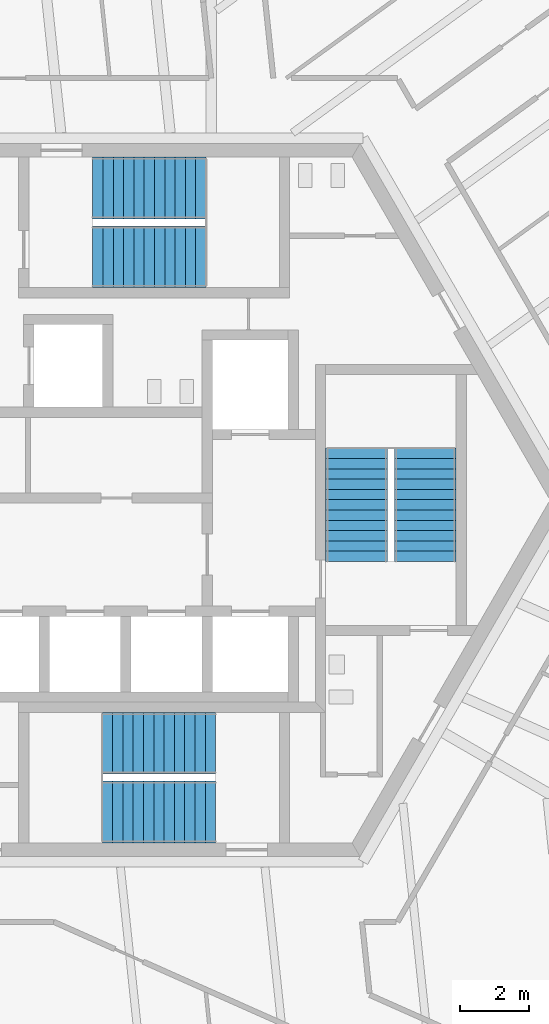
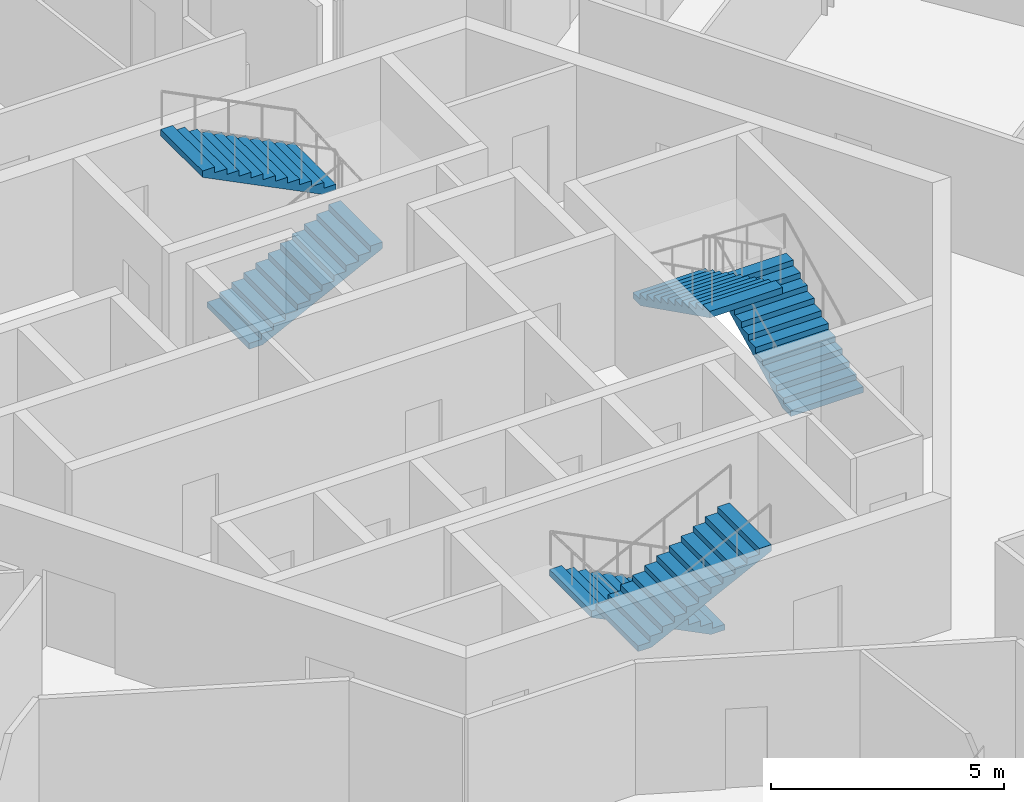
# One storey, part 14 of 20: 6 stair flights, 3 elements without a shape of their own.
"""IFC4 building model written with IfcOpenShell, lengths in metres."""

from ifc_helpers import new_model, si_unit, direction, frame, origin, place, context, subcontext, project, spatial, polyline, outline, extrude, source, transform, mapped, material, type_object, element, aggregate, save


model = new_model("IFC4")

# Units and contexts
model_context = context("Model", 3, precision=1e-05, world=origin(), true_north=direction((0.0, 1.0)))
body_context = subcontext(model_context, "Body", "Model", "MODEL_VIEW")
ifc_project = project(units=[si_unit("LENGTHUNIT", "METRE"), si_unit("AREAUNIT", "SQUARE_METRE"), si_unit("VOLUMEUNIT", "CUBIC_METRE"), si_unit("PLANEANGLEUNIT", "RADIAN"), si_unit("MASSUNIT", "GRAM", prefix="KILO")], contexts=[model_context])

# Site, building, storey
site_placement = place(None, origin())
site = spatial("IfcSite", under=ifc_project, at=site_placement, CompositionType="ELEMENT")
building_placement = place(site_placement, origin())
building = spatial("IfcBuilding", under=site, at=building_placement, Name="Triune Harvest Tower", CompositionType="ELEMENT")
storey_placement = place(building_placement, frame((0.0, 0.0, 226.89990234375)))
storey = spatial("IfcBuildingStorey", under=building, at=storey_placement, Name="L59", CompositionType="ELEMENT", Elevation=226.89990234375)

# Stair, stair flights
ifc_material_1 = material(Name="Concrete 40 MPa", Category="concrete")
stair_type = type_object("IfcStairType", Name="Exit stair 1800 half turn", PredefinedType="HALF_TURN_STAIR", material=ifc_material_1)
stair_1_placement = place(storey_placement, origin())
stair_1 = element("IfcStair", 1, at=stair_1_placement, inside=storey, type_object=stair_type, Name="Exit stair north", PredefinedType="HALF_TURN_STAIR")
ifc_material_2 = material(Name="Concrete 40 MPa", Category="concrete")
stair_flight_type = type_object("IfcStairFlightType", Name="Stair flight 1800", PredefinedType="STRAIGHT", material=ifc_material_2)
shared_shape = source(origin(), body_context, "Body", "SweptSolid", [
    extrude(outline(polyline([(0.0, 0.0), (0.0, 0.14990234375), (0.300048828125, 0.14990234375), (0.300048828125, 0.300048828125), (0.60009765625, 0.300048828125), (0.60009765625, 0.449951171875), (0.89990234375, 0.449951171875), (0.89990234375, 0.60009765625), (1.199951171875, 0.60009765625), (1.199951171875, 0.75), (1.5, 0.75), (1.5, 0.89990234375), (1.800048828125, 0.89990234375), (1.800048828125, 1.050048828125), (2.10009765625, 1.050048828125), (2.10009765625, 1.199951171875), (2.39990234375, 1.199951171875), (2.39990234375, 1.35009765625), (2.699951171875, 1.35009765625), (2.699951171875, 1.5), (3.0, 1.5), (3.0, 1.64990234375), (3.300048828125, 1.64990234375), (3.300048828125, 1.800048828125), (3.300048828125, 1.482421875), (0.335205078125, 0.0), (0.0, 0.0)])), frame((0.0, 0.89990234375, 0.0), z_axis=(0.0, -1.0, 0.0), x_axis=(1.0, 0.0, 0.0)), (0.0, 0.0, 1.0), 1.800048828125),
])
stair_flight_1_placement = place(storey_placement, frame((-1.7900390625, 7.090087890625, 0.0), z_axis=(0.0, 0.0, 1.0), x_axis=(1.0, 0.0, 0.0)))
stair_flight_1 = element("IfcStairFlight", 2, at=stair_flight_1_placement, type_object=stair_flight_type, Name="ST-1 flight 1", NumberOfRisers=12, NumberOfTreads=11, PredefinedType="STRAIGHT", RiserHeight=0.15, TreadLength=0.3, context=body_context, shape_type="MappedRepresentation", body=[
    mapped(shared_shape, transform((0.0, 0.0, 0.0), scale=1.0)),
])
stair_flight_2_placement = place(storey_placement, frame((1.510009765625, 9.090087890625, 1.800048828125), z_axis=(0.0, 0.0, 1.0), x_axis=(-1.0, 0.0, 0.0)))
stair_flight_2 = element("IfcStairFlight", 3, at=stair_flight_2_placement, type_object=stair_flight_type, Name="ST-1 flight 2", NumberOfRisers=12, NumberOfTreads=11, PredefinedType="STRAIGHT", RiserHeight=0.15, TreadLength=0.3, context=body_context, shape_type="MappedRepresentation", body=[
    mapped(shared_shape, transform((0.0, 0.0, 0.0), scale=1.0)),
])
aggregate(stair_1, [stair_flight_1, stair_flight_2])

stair_2_placement = place(storey_placement, origin())
stair_2 = element("IfcStair", 4, at=stair_2_placement, inside=storey, type_object=stair_type, Name="Exit stair south", PredefinedType="HALF_TURN_STAIR")
stair_flight_3_placement = place(storey_placement, frame((1.7900390625, -7.090087890625, 0.0), z_axis=(0.0, 0.0, 1.0), x_axis=(-1.0, 0.0, 0.0)))
stair_flight_3 = element("IfcStairFlight", 5, at=stair_flight_3_placement, type_object=stair_flight_type, Name="ST-2 flight 1", NumberOfRisers=12, NumberOfTreads=11, PredefinedType="STRAIGHT", RiserHeight=0.15, TreadLength=0.3, context=body_context, shape_type="MappedRepresentation", body=[
    mapped(shared_shape, transform((0.0, 0.0, 0.0), scale=1.0)),
])
stair_flight_4_placement = place(storey_placement, frame((-1.510009765625, -9.090087890625, 1.800048828125), z_axis=(0.0, 0.0, 1.0), x_axis=(1.0, 0.0, 0.0)))
stair_flight_4 = element("IfcStairFlight", 6, at=stair_flight_4_placement, type_object=stair_flight_type, Name="ST-2 flight 2", NumberOfRisers=12, NumberOfTreads=11, PredefinedType="STRAIGHT", RiserHeight=0.15, TreadLength=0.3, context=body_context, shape_type="MappedRepresentation", body=[
    mapped(shared_shape, transform((0.0, 0.0, 0.0), scale=1.0)),
])
aggregate(stair_2, [stair_flight_3, stair_flight_4])

stair_3_placement = place(storey_placement, origin())
stair_3 = element("IfcStair", 7, at=stair_3_placement, inside=storey, type_object=stair_type, Name="Exit stair east", PredefinedType="HALF_TURN_STAIR")
stair_flight_5_placement = place(storey_placement, frame((7.89990234375, -1.7900390625, 0.0), z_axis=(0.0, 0.0, 1.0), x_axis=(0.0, 1.0, 0.0)))
stair_flight_5 = element("IfcStairFlight", 8, at=stair_flight_5_placement, type_object=stair_flight_type, Name="ST-3 flight 1", NumberOfRisers=12, NumberOfTreads=11, PredefinedType="STRAIGHT", RiserHeight=0.15, TreadLength=0.3, context=body_context, shape_type="MappedRepresentation", body=[
    mapped(shared_shape, transform((0.0, 0.0, 0.0), scale=1.0)),
])
stair_flight_6_placement = place(storey_placement, frame((5.89990234375, 1.510009765625, 1.800048828125), z_axis=(0.0, 0.0, 1.0), x_axis=(0.0, -1.0, 0.0)))
stair_flight_6 = element("IfcStairFlight", 9, at=stair_flight_6_placement, type_object=stair_flight_type, Name="ST-3 flight 2", NumberOfRisers=12, NumberOfTreads=11, PredefinedType="STRAIGHT", RiserHeight=0.15, TreadLength=0.3, context=body_context, shape_type="MappedRepresentation", body=[
    mapped(shared_shape, transform((0.0, 0.0, 0.0), scale=1.0)),
])
aggregate(stair_3, [stair_flight_5, stair_flight_6])

save(model, "model.ifc")
